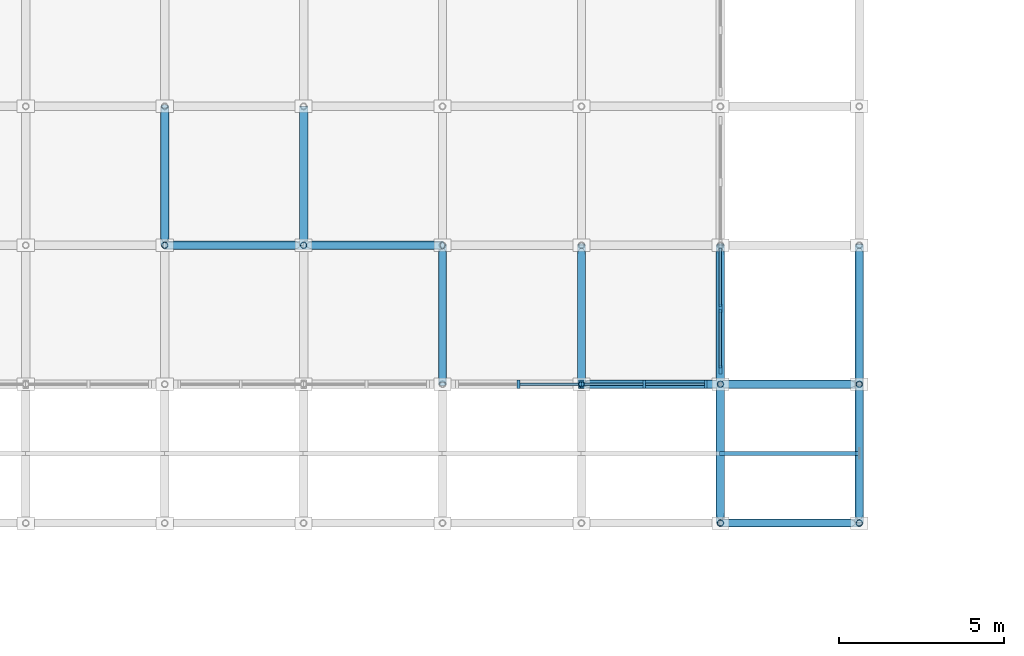
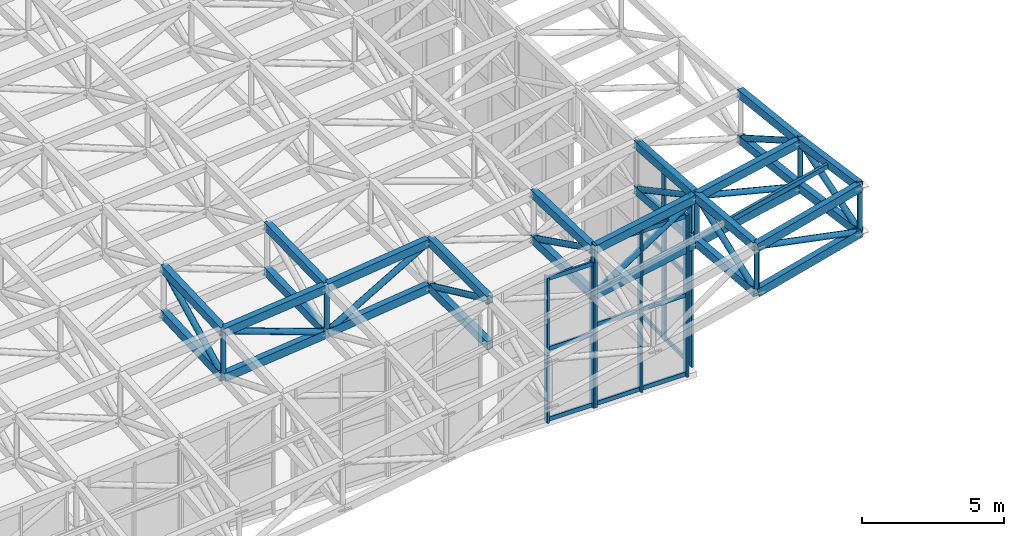
# One storey, part 47 of 111: 68 members, 3 elements without a shape of their own.
"""IFC4 building model written with IfcOpenShell, lengths in metres."""

from ifc_helpers import new_model, si_unit, direction, frame, origin, origin_2d, place, context, subcontext, project, spatial, rectangle, hollow_rectangle, hollow_circle, extrude, material, material_profile, profile_set, type_object, element, aggregate, save


model = new_model("IFC4")

# Units and contexts
model_context = context("Model", 3, precision=1e-05, world=origin(), true_north=direction((0.0, 1.0)))
body_context = subcontext(model_context, "Body", "Model", "MODEL_VIEW")
ifc_project = project(units=[si_unit("LENGTHUNIT", "METRE"), si_unit("AREAUNIT", "SQUARE_METRE"), si_unit("VOLUMEUNIT", "CUBIC_METRE"), si_unit("PLANEANGLEUNIT", "RADIAN"), si_unit("MASSUNIT", "GRAM", prefix="KILO")], contexts=[model_context])

# Site, building, storey
site_placement = place(None, origin())
site = spatial("IfcSite", under=ifc_project, at=site_placement, CompositionType="ELEMENT")
building_placement = place(site_placement, origin())
building = spatial("IfcBuilding", under=site, at=building_placement, Name="Cumbredor Promenade Congress Hotel", CompositionType="ELEMENT")
storey_placement = place(building_placement, frame((0.0, 0.0, 15.1201171875)))
storey = spatial("IfcBuildingStorey", under=building, at=storey_placement, Name="L04", CompositionType="ELEMENT", Elevation=15.1201171875)

# Curtain wall, members
ifc_material_1 = material(Name="Thermally broken anodized aluminium and low-E glass", Category="aluminium")
curtain_wall_type = type_object("IfcCurtainWallType", Name="Stepped Pavilion Clerestory Curtain Wall CW-06", PredefinedType="NOTDEFINED", material=ifc_material_1)
curtain_wall_1_placement = place(storey_placement, origin())
curtain_wall_1 = element("IfcCurtainWall", 1, at=curtain_wall_1_placement, inside=storey, type_object=curtain_wall_type, Name="Pre-Function and Breakout Meeting Forum S Glazed Clerestory 19", PredefinedType="NOTDEFINED")
ifc_material_2 = material(Name="Thermally broken anodized aluminium", Category="aluminium")
ifc_material_profile_1 = material_profile(ifc_material_2, rectangle(XDim=0.0849609375, YDim=0.260009765625, at=origin_2d()), Name="ALU MULLION CLERESTORY 85x260")
ifc_profile_set_1 = profile_set([ifc_material_profile_1], Name="Thermally broken anodized aluminium")
member_type_1 = type_object("IfcMemberType", Name="Curtain Wall Mullion ML-04", PredefinedType="MULLION", material=ifc_profile_set_1)
member_1_placement = place(storey_placement, frame((170.300048828125, 84.0, -0.01806640625), z_axis=(0.0, 0.0, 1.0), x_axis=(1.0, 0.0, 0.0)))
member_1 = element("IfcMember", 2, at=member_1_placement, type_object=member_type_1, Name="Pre-Function and Breakout Meeting Forum S Glazed Clerestory 19 Mullion 2", PredefinedType="MULLION", context=body_context, shape_type="SweptSolid", body=[
    extrude(rectangle(XDim=0.0849609375, YDim=0.260009765625, at=origin_2d()), origin(), (0.0, 0.0, 1.0), 6.243896484375),
])
member_2_placement = place(storey_placement, frame((172.159912109375, 84.0, -0.01806640625), z_axis=(0.0, 0.0, 1.0), x_axis=(1.0, 0.0, 0.0)))
member_2 = element("IfcMember", 3, at=member_2_placement, type_object=member_type_1, Name="Pre-Function and Breakout Meeting Forum S Glazed Clerestory 19 Mullion 3", PredefinedType="MULLION", context=body_context, shape_type="SweptSolid", body=[
    extrude(rectangle(XDim=0.0849609375, YDim=0.260009765625, at=origin_2d()), origin(), (0.0, 0.0, 1.0), 6.243896484375),
])

curtain_wall_2_placement = place(storey_placement, origin())
curtain_wall_2 = element("IfcCurtainWall", 4, at=curtain_wall_2_placement, inside=storey, type_object=curtain_wall_type, Name="Pre-Function and Breakout Meeting Forum S Glazed Clerestory 20", PredefinedType="NOTDEFINED")
member_3_placement = place(storey_placement, frame((172.239990234375, 84.0, -0.01806640625), z_axis=(0.0, 0.0, 1.0), x_axis=(1.0, 0.0, 0.0)))
member_3 = element("IfcMember", 5, at=member_3_placement, type_object=member_type_1, Name="Pre-Function and Breakout Meeting Forum S Glazed Clerestory 20 Mullion 1", PredefinedType="MULLION", context=body_context, shape_type="SweptSolid", body=[
    extrude(rectangle(XDim=0.0849609375, YDim=0.260009765625, at=origin_2d()), origin(), (0.0, 0.0, 1.0), 6.959228515625),
])
member_4_placement = place(storey_placement, frame((174.10009765625, 84.0, -0.01806640625), z_axis=(0.0, 0.0, 1.0), x_axis=(1.0, 0.0, 0.0)))
member_4 = element("IfcMember", 6, at=member_4_placement, type_object=member_type_1, Name="Pre-Function and Breakout Meeting Forum S Glazed Clerestory 20 Mullion 2", PredefinedType="MULLION", context=body_context, shape_type="SweptSolid", body=[
    extrude(rectangle(XDim=0.0849609375, YDim=0.260009765625, at=origin_2d()), origin(), (0.0, 0.0, 1.0), 6.959228515625),
])
member_5_placement = place(storey_placement, frame((175.9599609375, 84.0, -0.01806640625), z_axis=(0.0, 0.0, 1.0), x_axis=(1.0, 0.0, 0.0)))
member_5 = element("IfcMember", 7, at=member_5_placement, type_object=member_type_1, Name="Pre-Function and Breakout Meeting Forum S Glazed Clerestory 20 Mullion 3", PredefinedType="MULLION", context=body_context, shape_type="SweptSolid", body=[
    extrude(rectangle(XDim=0.0849609375, YDim=0.260009765625, at=origin_2d()), origin(), (0.0, 0.0, 1.0), 6.959228515625),
])

curtain_wall_3_placement = place(storey_placement, origin())
curtain_wall_3 = element("IfcCurtainWall", 8, at=curtain_wall_3_placement, inside=storey, type_object=curtain_wall_type, Name="Pre-Function and Breakout Meeting Forum E Glazed Clerestory 1", PredefinedType="NOTDEFINED")
member_6_placement = place(storey_placement, frame((176.39990234375, 84.43994140625, -0.01806640625), z_axis=(0.0, 0.0, 1.0), x_axis=(1.0, 0.0, 0.0)))
member_6 = element("IfcMember", 9, at=member_6_placement, type_object=member_type_1, Name="Pre-Function and Breakout Meeting Forum E Glazed Clerestory 1 Mullion 1", PredefinedType="MULLION", context=body_context, shape_type="SweptSolid", body=[
    extrude(rectangle(XDim=0.0849609375, YDim=0.260009765625, at=origin_2d()), origin(), (0.0, 0.0, 1.0), 7.4609375),
])
member_7_placement = place(storey_placement, frame((176.39990234375, 86.300048828125, -0.01806640625), z_axis=(0.0, 0.0, 1.0), x_axis=(1.0, 0.0, 0.0)))
member_7 = element("IfcMember", 10, at=member_7_placement, type_object=member_type_1, Name="Pre-Function and Breakout Meeting Forum E Glazed Clerestory 1 Mullion 2", PredefinedType="MULLION", context=body_context, shape_type="SweptSolid", body=[
    extrude(rectangle(XDim=0.0849609375, YDim=0.260009765625, at=origin_2d()), origin(), (0.0, 0.0, 1.0), 7.4609375),
])

# Member
ifc_material_profile_2 = material_profile(ifc_material_2, rectangle(XDim=0.080078125, YDim=0.179931640625, at=origin_2d()), Name="ALU TRANSOM 80x180")
ifc_profile_set_2 = profile_set([ifc_material_profile_2], Name="Thermally broken anodized aluminium")
member_type_2 = type_object("IfcMemberType", Name="Curtain Wall Transom TR-03", PredefinedType="USERDEFINED", material=ifc_profile_set_2)
member_8_placement = place(storey_placement, frame((170.342529296875, 84.0, 0.079833984375), z_axis=(1.0, 0.0, 0.0), x_axis=(0.0, 1.0, 0.0)))
member_8 = element("IfcMember", 11, at=member_8_placement, type_object=member_type_2, Name="Pre-Function and Breakout Meeting Forum S Glazed Clerestory 19 Transom 2.1", ObjectType="TRANSOM", PredefinedType="USERDEFINED", context=body_context, shape_type="SweptSolid", body=[
    extrude(rectangle(XDim=0.080078125, YDim=0.179931640625, at=origin_2d()), origin(), (0.0, 0.0, 1.0), 1.77490234375),
])

member_9_placement = place(storey_placement, frame((170.342529296875, 84.0, 3.10986328125), z_axis=(1.0, 0.0, 0.0), x_axis=(0.0, 1.0, 0.0)))
member_9 = element("IfcMember", 12, at=member_9_placement, type_object=member_type_2, Name="Pre-Function and Breakout Meeting Forum S Glazed Clerestory 19 Transom 2.2", ObjectType="TRANSOM", PredefinedType="USERDEFINED", context=body_context, shape_type="SweptSolid", body=[
    extrude(rectangle(XDim=0.080078125, YDim=0.179931640625, at=origin_2d()), origin(), (0.0, 0.0, 1.0), 1.77490234375),
])

member_10_placement = place(storey_placement, frame((170.342529296875, 84.0, 6.1298828125), z_axis=(1.0, 0.0, 0.0), x_axis=(0.0, 1.0, 0.0)))
member_10 = element("IfcMember", 13, at=member_10_placement, type_object=member_type_2, Name="Pre-Function and Breakout Meeting Forum S Glazed Clerestory 19 Transom 2.3", ObjectType="TRANSOM", PredefinedType="USERDEFINED", context=body_context, shape_type="SweptSolid", body=[
    extrude(rectangle(XDim=0.080078125, YDim=0.179931640625, at=origin_2d()), origin(), (0.0, 0.0, 1.0), 1.77490234375),
])

aggregate(curtain_wall_1, [member_1, member_2, member_8, member_9, member_10])

member_11_placement = place(storey_placement, frame((172.282470703125, 84.0, 0.079833984375), z_axis=(1.0, 0.0, 0.0), x_axis=(0.0, 1.0, 0.0)))
member_11 = element("IfcMember", 14, at=member_11_placement, type_object=member_type_2, Name="Pre-Function and Breakout Meeting Forum S Glazed Clerestory 20 Transom 1.1", ObjectType="TRANSOM", PredefinedType="USERDEFINED", context=body_context, shape_type="SweptSolid", body=[
    extrude(rectangle(XDim=0.080078125, YDim=0.179931640625, at=origin_2d()), origin(), (0.0, 0.0, 1.0), 1.775146484375),
])

member_12_placement = place(storey_placement, frame((172.282470703125, 84.0, 3.4599609375), z_axis=(1.0, 0.0, 0.0), x_axis=(0.0, 1.0, 0.0)))
member_12 = element("IfcMember", 15, at=member_12_placement, type_object=member_type_2, Name="Pre-Function and Breakout Meeting Forum S Glazed Clerestory 20 Transom 1.2", ObjectType="TRANSOM", PredefinedType="USERDEFINED", context=body_context, shape_type="SweptSolid", body=[
    extrude(rectangle(XDim=0.080078125, YDim=0.179931640625, at=origin_2d()), origin(), (0.0, 0.0, 1.0), 1.775146484375),
])

member_13_placement = place(storey_placement, frame((172.282470703125, 84.0, 6.83984375), z_axis=(1.0, 0.0, 0.0), x_axis=(0.0, 1.0, 0.0)))
member_13 = element("IfcMember", 16, at=member_13_placement, type_object=member_type_2, Name="Pre-Function and Breakout Meeting Forum S Glazed Clerestory 20 Transom 1.3", ObjectType="TRANSOM", PredefinedType="USERDEFINED", context=body_context, shape_type="SweptSolid", body=[
    extrude(rectangle(XDim=0.080078125, YDim=0.179931640625, at=origin_2d()), origin(), (0.0, 0.0, 1.0), 1.775146484375),
])

member_14_placement = place(storey_placement, frame((174.142578125, 84.0, 0.079833984375), z_axis=(1.0, 0.0, 0.0), x_axis=(0.0, 1.0, 0.0)))
member_14 = element("IfcMember", 17, at=member_14_placement, type_object=member_type_2, Name="Pre-Function and Breakout Meeting Forum S Glazed Clerestory 20 Transom 2.1", ObjectType="TRANSOM", PredefinedType="USERDEFINED", context=body_context, shape_type="SweptSolid", body=[
    extrude(rectangle(XDim=0.080078125, YDim=0.179931640625, at=origin_2d()), origin(), (0.0, 0.0, 1.0), 1.77490234375),
])

member_15_placement = place(storey_placement, frame((174.142578125, 84.0, 3.4599609375), z_axis=(1.0, 0.0, 0.0), x_axis=(0.0, 1.0, 0.0)))
member_15 = element("IfcMember", 18, at=member_15_placement, type_object=member_type_2, Name="Pre-Function and Breakout Meeting Forum S Glazed Clerestory 20 Transom 2.2", ObjectType="TRANSOM", PredefinedType="USERDEFINED", context=body_context, shape_type="SweptSolid", body=[
    extrude(rectangle(XDim=0.080078125, YDim=0.179931640625, at=origin_2d()), origin(), (0.0, 0.0, 1.0), 1.77490234375),
])

member_16_placement = place(storey_placement, frame((174.142578125, 84.0, 6.83984375), z_axis=(1.0, 0.0, 0.0), x_axis=(0.0, 1.0, 0.0)))
member_16 = element("IfcMember", 19, at=member_16_placement, type_object=member_type_2, Name="Pre-Function and Breakout Meeting Forum S Glazed Clerestory 20 Transom 2.3", ObjectType="TRANSOM", PredefinedType="USERDEFINED", context=body_context, shape_type="SweptSolid", body=[
    extrude(rectangle(XDim=0.080078125, YDim=0.179931640625, at=origin_2d()), origin(), (0.0, 0.0, 1.0), 1.77490234375),
])

aggregate(curtain_wall_2, [member_3, member_4, member_5, member_11, member_12, member_13, member_14, member_15, member_16])

member_17_placement = place(storey_placement, frame((176.39990234375, 84.482421875, 0.079833984375), z_axis=(0.0, 1.0, 0.0), x_axis=(-1.0, 0.0, 0.0)))
member_17 = element("IfcMember", 20, at=member_17_placement, type_object=member_type_2, Name="Pre-Function and Breakout Meeting Forum E Glazed Clerestory 1 Transom 1.1", ObjectType="TRANSOM", PredefinedType="USERDEFINED", context=body_context, shape_type="SweptSolid", body=[
    extrude(rectangle(XDim=0.080078125, YDim=0.179931640625, at=origin_2d()), origin(), (0.0, 0.0, 1.0), 1.775146484375),
])

member_18_placement = place(storey_placement, frame((176.39990234375, 84.482421875, 3.7099609375), z_axis=(0.0, 1.0, 0.0), x_axis=(-1.0, 0.0, 0.0)))
member_18 = element("IfcMember", 21, at=member_18_placement, type_object=member_type_2, Name="Pre-Function and Breakout Meeting Forum E Glazed Clerestory 1 Transom 1.2", ObjectType="TRANSOM", PredefinedType="USERDEFINED", context=body_context, shape_type="SweptSolid", body=[
    extrude(rectangle(XDim=0.080078125, YDim=0.179931640625, at=origin_2d()), origin(), (0.0, 0.0, 1.0), 1.775146484375),
])

member_19_placement = place(storey_placement, frame((176.39990234375, 84.482421875, 7.33984375), z_axis=(0.0, 1.0, 0.0), x_axis=(-1.0, 0.0, 0.0)))
member_19 = element("IfcMember", 22, at=member_19_placement, type_object=member_type_2, Name="Pre-Function and Breakout Meeting Forum E Glazed Clerestory 1 Transom 1.3", ObjectType="TRANSOM", PredefinedType="USERDEFINED", context=body_context, shape_type="SweptSolid", body=[
    extrude(rectangle(XDim=0.080078125, YDim=0.179931640625, at=origin_2d()), origin(), (0.0, 0.0, 1.0), 1.775146484375),
])

member_20_placement = place(storey_placement, frame((176.39990234375, 86.342529296875, 0.079833984375), z_axis=(0.0, 1.0, 0.0), x_axis=(-1.0, 0.0, 0.0)))
member_20 = element("IfcMember", 23, at=member_20_placement, type_object=member_type_2, Name="Pre-Function and Breakout Meeting Forum E Glazed Clerestory 1 Transom 2.1", ObjectType="TRANSOM", PredefinedType="USERDEFINED", context=body_context, shape_type="SweptSolid", body=[
    extrude(rectangle(XDim=0.080078125, YDim=0.179931640625, at=origin_2d()), origin(), (0.0, 0.0, 1.0), 1.77490234375),
])

member_21_placement = place(storey_placement, frame((176.39990234375, 86.342529296875, 3.7099609375), z_axis=(0.0, 1.0, 0.0), x_axis=(-1.0, 0.0, 0.0)))
member_21 = element("IfcMember", 24, at=member_21_placement, type_object=member_type_2, Name="Pre-Function and Breakout Meeting Forum E Glazed Clerestory 1 Transom 2.2", ObjectType="TRANSOM", PredefinedType="USERDEFINED", context=body_context, shape_type="SweptSolid", body=[
    extrude(rectangle(XDim=0.080078125, YDim=0.179931640625, at=origin_2d()), origin(), (0.0, 0.0, 1.0), 1.77490234375),
])

member_22_placement = place(storey_placement, frame((176.39990234375, 86.342529296875, 7.33984375), z_axis=(0.0, 1.0, 0.0), x_axis=(-1.0, 0.0, 0.0)))
member_22 = element("IfcMember", 25, at=member_22_placement, type_object=member_type_2, Name="Pre-Function and Breakout Meeting Forum E Glazed Clerestory 1 Transom 2.3", ObjectType="TRANSOM", PredefinedType="USERDEFINED", context=body_context, shape_type="SweptSolid", body=[
    extrude(rectangle(XDim=0.080078125, YDim=0.179931640625, at=origin_2d()), origin(), (0.0, 0.0, 1.0), 1.77490234375),
])

aggregate(curtain_wall_3, [member_6, member_7, member_17, member_18, member_19, member_20, member_21, member_22])

# Members
ifc_material_3 = material(Name="Steel ASTM A500 Grade C", Category="steel")
ifc_material_profile_3 = material_profile(ifc_material_3, hollow_rectangle(XDim=0.25, YDim=0.35009765625, WallThickness=0.01611328125, at=origin_2d()), Name="HSS 350x250x16")
ifc_profile_set_3 = profile_set([ifc_material_profile_3], Name="Steel ASTM A500 Grade C")
member_type_3 = type_object("IfcMemberType", Name="Forum Roof Truss Chord", PredefinedType="CHORD", material=ifc_profile_set_3)
for number, where, z_axis, x_axis, name in (
    (26, (176.39990234375, 79.800048828125, 7.926513671875), (0.966760808436, 0.0, 0.255682497), (0.0, 1.0, 0.0), "Pre-Function and Breakout Meeting Forum X Top Chord 22.1"),
    (27, (176.39990234375, 79.800048828125, 5.9765625), (0.966760808436, 0.0, 0.255682497), (0.0, 1.0, 0.0), "Pre-Function and Breakout Meeting Forum X Bottom Chord 22.1"),
):
    element("IfcMember", number, at=place(storey_placement, frame(where, z_axis=z_axis, x_axis=x_axis)), inside=storey, type_object=member_type_3, Name=name, PredefinedType="CHORD", context=body_context, shape_type="SweptSolid", body=[
        extrude(hollow_rectangle(XDim=0.25, YDim=0.35009765625, WallThickness=0.01611328125, at=origin_2d()), origin(), (0.0, 0.0, 1.0), 4.3447265625),
    ])
for number, where, z_axis, x_axis, name in (
    (28, (172.199951171875, 84.0, 6.740234375), (0.982367544191, 0.0, 0.186959910462), (0.0, 1.0, 0.0), "Pre-Function and Breakout Meeting Forum X Top Chord 21.2"),
    (29, (172.199951171875, 84.0, 4.790283203125), (0.982367544191, 0.0, 0.186959910462), (0.0, 1.0, 0.0), "Pre-Function and Breakout Meeting Forum X Bottom Chord 21.2"),
):
    element("IfcMember", number, at=place(storey_placement, frame(where, z_axis=z_axis, x_axis=x_axis)), inside=storey, type_object=member_type_3, Name=name, PredefinedType="CHORD", context=body_context, shape_type="SweptSolid", body=[
        extrude(hollow_rectangle(XDim=0.25, YDim=0.35009765625, WallThickness=0.01611328125, at=origin_2d()), origin(), (0.0, 0.0, 1.0), 4.275390625),
    ])
for number, where, z_axis, x_axis, name in (
    (30, (176.39990234375, 84.0, 7.53955078125), (0.978410779297, 0.0, 0.20666965659), (0.0, 1.0, 0.0), "Pre-Function and Breakout Meeting Forum X Top Chord 22.2"),
    (31, (176.39990234375, 84.0, 5.589599609375), (0.978410779297, 0.0, 0.20666965659), (0.0, 1.0, 0.0), "Pre-Function and Breakout Meeting Forum X Bottom Chord 22.2"),
):
    element("IfcMember", number, at=place(storey_placement, frame(where, z_axis=z_axis, x_axis=x_axis)), inside=storey, type_object=member_type_3, Name=name, PredefinedType="CHORD", context=body_context, shape_type="SweptSolid", body=[
        extrude(hollow_rectangle(XDim=0.25, YDim=0.35009765625, WallThickness=0.01611328125, at=origin_2d()), origin(), (0.0, 0.0, 1.0), 4.29296875),
    ])
for number, where, z_axis, x_axis, name in (
    (32, (159.60009765625, 88.199951171875, 5.0791015625), (0.994564532664, 0.0, 0.104121997519), (0.0, 1.0, 0.0), "Pre-Function and Breakout Meeting Forum X Top Chord 18.3"),
    (33, (159.60009765625, 88.199951171875, 3.12890625), (0.994564532664, 0.0, 0.104121997519), (0.0, 1.0, 0.0), "Pre-Function and Breakout Meeting Forum X Bottom Chord 18.3"),
):
    element("IfcMember", number, at=place(storey_placement, frame(where, z_axis=z_axis, x_axis=x_axis)), inside=storey, type_object=member_type_3, Name=name, PredefinedType="CHORD", context=body_context, shape_type="SweptSolid", body=[
        extrude(hollow_rectangle(XDim=0.25, YDim=0.35009765625, WallThickness=0.01611328125, at=origin_2d()), origin(), (0.0, 0.0, 1.0), 4.222900390625),
    ])
for number, where, z_axis, x_axis, name in (
    (34, (163.800048828125, 88.199951171875, 5.518798828125), (0.992790285705, 0.0, 0.119864292473), (0.0, 1.0, 0.0), "Pre-Function and Breakout Meeting Forum X Top Chord 19.3"),
    (35, (163.800048828125, 88.199951171875, 3.568603515625), (0.992790285705, 0.0, 0.119864292473), (0.0, 1.0, 0.0), "Pre-Function and Breakout Meeting Forum X Bottom Chord 19.3"),
):
    element("IfcMember", number, at=place(storey_placement, frame(where, z_axis=z_axis, x_axis=x_axis)), inside=storey, type_object=member_type_3, Name=name, PredefinedType="CHORD", context=body_context, shape_type="SweptSolid", body=[
        extrude(hollow_rectangle(XDim=0.25, YDim=0.35009765625, WallThickness=0.01611328125, at=origin_2d()), origin(), (0.0, 0.0, 1.0), 4.23046875),
    ])
for number, where, z_axis, x_axis, name in (
    (36, (159.60009765625, 88.199951171875, 5.0791015625), (0.0, 0.999215091886, 0.039613131004), (-1.0, 0.0, 0.0), "Pre-Function and Breakout Meeting Forum Y Top Chord 18.3"),
    (37, (159.60009765625, 88.199951171875, 3.12890625), (0.0, 0.999212791134, 0.039671123429), (-1.0, 0.0, 0.0), "Pre-Function and Breakout Meeting Forum Y Bottom Chord 18.3"),
):
    element("IfcMember", number, at=place(storey_placement, frame(where, z_axis=z_axis, x_axis=x_axis)), inside=storey, type_object=member_type_3, Name=name, PredefinedType="CHORD", context=body_context, shape_type="SweptSolid", body=[
        extrude(hollow_rectangle(XDim=0.25, YDim=0.35009765625, WallThickness=0.01611328125, at=origin_2d()), origin(), (0.0, 0.0, 1.0), 4.203369140625),
    ])
for number, where, z_axis, x_axis, name in (
    (38, (163.800048828125, 88.199951171875, 5.518798828125), (0.0, 0.999773756353, 0.021270545534), (-1.0, 0.0, 0.0), "Pre-Function and Breakout Meeting Forum Y Top Chord 19.3"),
    (39, (163.800048828125, 88.199951171875, 3.568603515625), (0.0, 0.999772518783, 0.021328635377), (-1.0, 0.0, 0.0), "Pre-Function and Breakout Meeting Forum Y Bottom Chord 19.3"),
):
    element("IfcMember", number, at=place(storey_placement, frame(where, z_axis=z_axis, x_axis=x_axis)), inside=storey, type_object=member_type_3, Name=name, PredefinedType="CHORD", context=body_context, shape_type="SweptSolid", body=[
        extrude(hollow_rectangle(XDim=0.25, YDim=0.35009765625, WallThickness=0.01611328125, at=origin_2d()), origin(), (0.0, 0.0, 1.0), 4.200927734375),
    ])
for number, where, z_axis, x_axis, name in (
    (40, (168.0, 84.0, 6.02490234375), (0.0, 0.999999972968, 0.000232517578), (-1.0, 0.0, 0.0), "Pre-Function and Breakout Meeting Forum Y Top Chord 20.2"),
    (41, (168.0, 84.0, 4.07470703125), (0.0, 0.999999972968, 0.000232517578), (-1.0, 0.0, 0.0), "Pre-Function and Breakout Meeting Forum Y Bottom Chord 20.2"),
):
    element("IfcMember", number, at=place(storey_placement, frame(where, z_axis=z_axis, x_axis=x_axis)), inside=storey, type_object=member_type_3, Name=name, PredefinedType="CHORD", context=body_context, shape_type="SweptSolid", body=[
        extrude(hollow_rectangle(XDim=0.25, YDim=0.35009765625, WallThickness=0.01611328125, at=origin_2d()), origin(), (0.0, 0.0, 1.0), 4.199951171875),
    ])
for number, where, z_axis, x_axis, name in (
    (42, (172.199951171875, 84.0, 6.740234375), (0.0, 0.999443810267, -0.033347715346), (-1.0, 0.0, 0.0), "Pre-Function and Breakout Meeting Forum Y Top Chord 21.2"),
    (43, (172.199951171875, 84.0, 4.790283203125), (0.0, 0.999443810267, -0.033347715346), (-1.0, 0.0, 0.0), "Pre-Function and Breakout Meeting Forum Y Bottom Chord 21.2"),
):
    element("IfcMember", number, at=place(storey_placement, frame(where, z_axis=z_axis, x_axis=x_axis)), inside=storey, type_object=member_type_3, Name=name, PredefinedType="CHORD", context=body_context, shape_type="SweptSolid", body=[
        extrude(hollow_rectangle(XDim=0.25, YDim=0.35009765625, WallThickness=0.01611328125, at=origin_2d()), origin(), (0.0, 0.0, 1.0), 4.202392578125),
    ])
for number, where, z_axis, x_axis, name in (
    (44, (176.39990234375, 79.800048828125, 7.926513671875), (0.0, 0.995782395469, -0.091746503332), (-1.0, 0.0, 0.0), "Pre-Function and Breakout Meeting Forum Y Top Chord 22.1"),
    (45, (176.39990234375, 79.800048828125, 5.9765625), (0.0, 0.995782395469, -0.091746503332), (-1.0, 0.0, 0.0), "Pre-Function and Breakout Meeting Forum Y Bottom Chord 22.1"),
):
    element("IfcMember", number, at=place(storey_placement, frame(where, z_axis=z_axis, x_axis=x_axis)), inside=storey, type_object=member_type_3, Name=name, PredefinedType="CHORD", context=body_context, shape_type="SweptSolid", body=[
        extrude(hollow_rectangle(XDim=0.25, YDim=0.35009765625, WallThickness=0.01611328125, at=origin_2d()), origin(), (0.0, 0.0, 1.0), 4.2177734375),
    ])
for number, where, z_axis, x_axis, name in (
    (46, (176.39990234375, 84.0, 7.53955078125), (0.0, 0.997498863978, -0.070682503935), (-1.0, 0.0, 0.0), "Pre-Function and Breakout Meeting Forum Y Top Chord 22.2"),
    (47, (176.39990234375, 84.0, 5.589599609375), (0.0, 0.997498863978, -0.070682503935), (-1.0, 0.0, 0.0), "Pre-Function and Breakout Meeting Forum Y Bottom Chord 22.2"),
):
    element("IfcMember", number, at=place(storey_placement, frame(where, z_axis=z_axis, x_axis=x_axis)), inside=storey, type_object=member_type_3, Name=name, PredefinedType="CHORD", context=body_context, shape_type="SweptSolid", body=[
        extrude(hollow_rectangle(XDim=0.25, YDim=0.35009765625, WallThickness=0.01611328125, at=origin_2d()), origin(), (0.0, 0.0, 1.0), 4.21044921875),
    ])
for number, where, z_axis, x_axis, name in (
    (48, (180.60009765625, 79.800048828125, 9.037353515625), (0.0, 0.989596716338, -0.143869173258), (-1.0, 0.0, 0.0), "Pre-Function and Breakout Meeting Forum Y Top Chord 23.1"),
    (49, (180.60009765625, 79.800048828125, 7.08740234375), (0.0, 0.989596716338, -0.143869173258), (-1.0, 0.0, 0.0), "Pre-Function and Breakout Meeting Forum Y Bottom Chord 23.1"),
):
    element("IfcMember", number, at=place(storey_placement, frame(where, z_axis=z_axis, x_axis=x_axis)), inside=storey, type_object=member_type_3, Name=name, PredefinedType="CHORD", context=body_context, shape_type="SweptSolid", body=[
        extrude(hollow_rectangle(XDim=0.25, YDim=0.35009765625, WallThickness=0.01611328125, at=origin_2d()), origin(), (0.0, 0.0, 1.0), 4.244140625),
    ])
for number, where, z_axis, x_axis, name in (
    (50, (180.60009765625, 84.0, 8.4267578125), (0.0, 0.993720642915, -0.111889605611), (-1.0, 0.0, 0.0), "Pre-Function and Breakout Meeting Forum Y Top Chord 23.2"),
    (51, (180.60009765625, 84.0, 6.476806640625), (0.0, 0.993714218671, -0.11194664627), (-1.0, 0.0, 0.0), "Pre-Function and Breakout Meeting Forum Y Bottom Chord 23.2"),
):
    element("IfcMember", number, at=place(storey_placement, frame(where, z_axis=z_axis, x_axis=x_axis)), inside=storey, type_object=member_type_3, Name=name, PredefinedType="CHORD", context=body_context, shape_type="SweptSolid", body=[
        extrude(hollow_rectangle(XDim=0.25, YDim=0.35009765625, WallThickness=0.01611328125, at=origin_2d()), origin(), (0.0, 0.0, 1.0), 4.2265625),
    ])
ifc_material_profile_4 = material_profile(ifc_material_3, hollow_rectangle(XDim=0.1201171875, YDim=0.199951171875, WallThickness=0.010009765625, at=origin_2d()), Name="HSS 200x120x10")
ifc_profile_set_4 = profile_set([ifc_material_profile_4], Name="Steel ASTM A500 Grade C")
member_type_4 = type_object("IfcMemberType", Name="Roof Purlin HSS200x120", PredefinedType="PURLIN", material=ifc_profile_set_4)
member_23_placement = place(storey_placement, frame((176.39990234375, 81.89990234375, 7.712890625), z_axis=(0.972846850955, 0.0, 0.231449788477), x_axis=(0.0, 1.0, 0.0)))
element("IfcMember", 52, at=member_23_placement, inside=storey, type_object=member_type_4, Name="Pre-Function and Breakout Meeting Forum Roof Eave Purlin 22.1", PredefinedType="PURLIN", context=body_context, shape_type="SweptSolid", body=[
    extrude(hollow_rectangle(XDim=0.1201171875, YDim=0.199951171875, WallThickness=0.010009765625, at=origin_2d()), origin(), (0.0, 0.0, 1.0), 4.3173828125),
])
ifc_material_profile_5 = material_profile(ifc_material_3, hollow_circle(Radius=0.122314453125, WallThickness=0.012451171875, at=origin_2d()), Name="CHS 244.5x12.5")
ifc_profile_set_5 = profile_set([ifc_material_profile_5], Name="Steel ASTM A500 Grade C")
member_type_5 = type_object("IfcMemberType", Name="Space Frame Web Diagonal D2", PredefinedType="BRACE", material=ifc_profile_set_5)
member_24_placement = place(storey_placement, frame((176.39990234375, 79.800048828125, 7.926513671875), z_axis=(0.980622307178, 0.0, -0.195907862693), x_axis=(0.0, 1.0, 0.0)))
element("IfcMember", 53, at=member_24_placement, inside=storey, type_object=member_type_5, Name="Pre-Function and Breakout Meeting Forum X Web Diagonal 22.1", PredefinedType="BRACE", context=body_context, shape_type="SweptSolid", body=[
    extrude(hollow_circle(Radius=0.122314453125, WallThickness=0.012451171875, at=origin_2d()), origin(), (0.0, 0.0, 1.0), 4.283203125),
])
member_25_placement = place(storey_placement, frame((172.199951171875, 84.0, 4.790283203125), z_axis=(0.836682471757, 0.0, 0.547688270328), x_axis=(0.0, 1.0, 0.0)))
element("IfcMember", 54, at=member_25_placement, inside=storey, type_object=member_type_5, Name="Pre-Function and Breakout Meeting Forum X Web Diagonal 21.2", PredefinedType="BRACE", context=body_context, shape_type="SweptSolid", body=[
    extrude(hollow_circle(Radius=0.122314453125, WallThickness=0.012451171875, at=origin_2d()), origin(), (0.0, 0.0, 1.0), 5.019775390625),
])
member_26_placement = place(storey_placement, frame((176.39990234375, 84.0, 7.53955078125), z_axis=(0.969449118774, 0.0, -0.245292490934), x_axis=(0.0, 1.0, 0.0)))
element("IfcMember", 55, at=member_26_placement, inside=storey, type_object=member_type_5, Name="Pre-Function and Breakout Meeting Forum X Web Diagonal 22.2", PredefinedType="BRACE", context=body_context, shape_type="SweptSolid", body=[
    extrude(hollow_circle(Radius=0.122314453125, WallThickness=0.012451171875, at=origin_2d()), origin(), (0.0, 0.0, 1.0), 4.33251953125),
])
member_27_placement = place(storey_placement, frame((159.60009765625, 88.199951171875, 5.0791015625), z_axis=(0.94099335553, 0.0, -0.338425035788), x_axis=(0.0, 1.0, 0.0)))
element("IfcMember", 56, at=member_27_placement, inside=storey, type_object=member_type_5, Name="Pre-Function and Breakout Meeting Forum X Web Diagonal 18.3", PredefinedType="BRACE", context=body_context, shape_type="SweptSolid", body=[
    extrude(hollow_circle(Radius=0.122314453125, WallThickness=0.012451171875, at=origin_2d()), origin(), (0.0, 0.0, 1.0), 4.46337890625),
])
member_28_placement = place(storey_placement, frame((163.800048828125, 88.199951171875, 3.568603515625), z_axis=(0.863124886965, 0.0, 0.50499052417), x_axis=(0.0, 1.0, 0.0)))
element("IfcMember", 57, at=member_28_placement, inside=storey, type_object=member_type_5, Name="Pre-Function and Breakout Meeting Forum X Web Diagonal 19.3", PredefinedType="BRACE", context=body_context, shape_type="SweptSolid", body=[
    extrude(hollow_circle(Radius=0.122314453125, WallThickness=0.012451171875, at=origin_2d()), origin(), (0.0, 0.0, 1.0), 4.865966796875),
])
member_29_placement = place(storey_placement, frame((159.60009765625, 88.199951171875, 3.12890625), z_axis=(0.0, 0.893000345184, 0.450055978187), x_axis=(-1.0, 0.0, 0.0)))
element("IfcMember", 58, at=member_29_placement, inside=storey, type_object=member_type_5, Name="Pre-Function and Breakout Meeting Forum Y Web Diagonal 18.3", PredefinedType="BRACE", context=body_context, shape_type="SweptSolid", body=[
    extrude(hollow_circle(Radius=0.122314453125, WallThickness=0.012451171875, at=origin_2d()), origin(), (0.0, 0.0, 1.0), 4.703125),
])
member_30_placement = place(storey_placement, frame((168.0, 84.0, 6.02490234375), z_axis=(0.0, 0.907071533627, -0.42097652296), x_axis=(-1.0, 0.0, 0.0)))
element("IfcMember", 59, at=member_30_placement, inside=storey, type_object=member_type_5, Name="Pre-Function and Breakout Meeting Forum Y Web Diagonal 20.2", PredefinedType="BRACE", context=body_context, shape_type="SweptSolid", body=[
    extrude(hollow_circle(Radius=0.122314453125, WallThickness=0.012451171875, at=origin_2d()), origin(), (0.0, 0.0, 1.0), 4.630126953125),
])
member_31_placement = place(storey_placement, frame((172.199951171875, 84.0, 6.740234375), z_axis=(0.0, 0.895268672792, -0.445526658593), x_axis=(-1.0, 0.0, 0.0)))
element("IfcMember", 60, at=member_31_placement, inside=storey, type_object=member_type_5, Name="Pre-Function and Breakout Meeting Forum Y Web Diagonal 21.2", PredefinedType="BRACE", context=body_context, shape_type="SweptSolid", body=[
    extrude(hollow_circle(Radius=0.122314453125, WallThickness=0.012451171875, at=origin_2d()), origin(), (0.0, 0.0, 1.0), 4.691162109375),
])
member_32_placement = place(storey_placement, frame((176.39990234375, 79.800048828125, 5.9765625), z_axis=(0.0, 0.937206114536, 0.348776001003), x_axis=(-1.0, 0.0, 0.0)))
element("IfcMember", 61, at=member_32_placement, inside=storey, type_object=member_type_5, Name="Pre-Function and Breakout Meeting Forum Y Web Diagonal 22.1", PredefinedType="BRACE", context=body_context, shape_type="SweptSolid", body=[
    extrude(hollow_circle(Radius=0.122314453125, WallThickness=0.012451171875, at=origin_2d()), origin(), (0.0, 0.0, 1.0), 4.4814453125),
])
member_33_placement = place(storey_placement, frame((176.39990234375, 84.0, 7.53955078125), z_axis=(0.0, 0.881690935242, -0.471827399281), x_axis=(-1.0, 0.0, 0.0)))
element("IfcMember", 62, at=member_33_placement, inside=storey, type_object=member_type_5, Name="Pre-Function and Breakout Meeting Forum Y Web Diagonal 22.2", PredefinedType="BRACE", context=body_context, shape_type="SweptSolid", body=[
    extrude(hollow_circle(Radius=0.122314453125, WallThickness=0.012451171875, at=origin_2d()), origin(), (0.0, 0.0, 1.0), 4.763427734375),
])
member_34_placement = place(storey_placement, frame((180.60009765625, 79.800048828125, 7.08740234375), z_axis=(0.0, 0.95272847028, 0.30382307667), x_axis=(-1.0, 0.0, 0.0)))
element("IfcMember", 63, at=member_34_placement, inside=storey, type_object=member_type_5, Name="Pre-Function and Breakout Meeting Forum Y Web Diagonal 23.1", PredefinedType="BRACE", context=body_context, shape_type="SweptSolid", body=[
    extrude(hollow_circle(Radius=0.122314453125, WallThickness=0.012451171875, at=origin_2d()), origin(), (0.0, 0.0, 1.0), 4.408447265625),
])
member_35_placement = place(storey_placement, frame((180.60009765625, 84.0, 8.4267578125), z_axis=(0.0, 0.866181394792, -0.499729718265), x_axis=(-1.0, 0.0, 0.0)))
element("IfcMember", 64, at=member_35_placement, inside=storey, type_object=member_type_5, Name="Pre-Function and Breakout Meeting Forum Y Web Diagonal 23.2", PredefinedType="BRACE", context=body_context, shape_type="SweptSolid", body=[
    extrude(hollow_circle(Radius=0.122314453125, WallThickness=0.012451171875, at=origin_2d()), origin(), (0.0, 0.0, 1.0), 4.848876953125),
])
ifc_material_profile_6 = material_profile(ifc_material_3, hollow_circle(Radius=0.096923828125, WallThickness=0.010009765625, at=origin_2d()), Name="CHS 193.7x10")
ifc_profile_set_6 = profile_set([ifc_material_profile_6], Name="Steel ASTM A500 Grade C")
member_type_6 = type_object("IfcMemberType", Name="Space Frame Web Post P1", PredefinedType="BRACE", material=ifc_profile_set_6)
for number, where, z_axis, x_axis, name in (
    (65, (159.60009765625, 88.199951171875, 3.12890625), (0.0, 0.0, 1.0), (1.0, 0.0, 0.0), "Pre-Function and Breakout Meeting Forum Space Frame Web Post 18.3"),
    (66, (163.800048828125, 88.199951171875, 3.568603515625), (0.0, 0.0, 1.0), (1.0, 0.0, 0.0), "Pre-Function and Breakout Meeting Forum Space Frame Web Post 19.3"),
):
    element("IfcMember", number, at=place(storey_placement, frame(where, z_axis=z_axis, x_axis=x_axis)), inside=storey, type_object=member_type_6, Name=name, PredefinedType="BRACE", context=body_context, shape_type="SweptSolid", body=[
        extrude(hollow_circle(Radius=0.096923828125, WallThickness=0.010009765625, at=origin_2d()), origin(), (0.0, 0.0, 1.0), 1.9501953125),
    ])
for number, where, z_axis, x_axis, name in (
    (67, (172.199951171875, 84.0, 4.790283203125), (0.0, 0.0, 1.0), (1.0, 0.0, 0.0), "Pre-Function and Breakout Meeting Forum Space Frame Web Post 21.2"),
    (68, (176.39990234375, 79.800048828125, 5.9765625), (0.0, 0.0, 1.0), (1.0, 0.0, 0.0), "Pre-Function and Breakout Meeting Forum Space Frame Web Post 22.1"),
    (69, (176.39990234375, 84.0, 5.589599609375), (0.0, 0.0, 1.0), (1.0, 0.0, 0.0), "Pre-Function and Breakout Meeting Forum Space Frame Web Post 22.2"),
    (70, (180.60009765625, 79.800048828125, 7.08740234375), (0.0, 0.0, 1.0), (1.0, 0.0, 0.0), "Pre-Function and Breakout Meeting Forum Space Frame Web Post 23.1"),
    (71, (180.60009765625, 84.0, 6.476806640625), (0.0, 0.0, 1.0), (1.0, 0.0, 0.0), "Pre-Function and Breakout Meeting Forum Space Frame Web Post 23.2"),
):
    element("IfcMember", number, at=place(storey_placement, frame(where, z_axis=z_axis, x_axis=x_axis)), inside=storey, type_object=member_type_6, Name=name, PredefinedType="BRACE", context=body_context, shape_type="SweptSolid", body=[
        extrude(hollow_circle(Radius=0.096923828125, WallThickness=0.010009765625, at=origin_2d()), origin(), (0.0, 0.0, 1.0), 1.949951171875),
    ])

save(model, "model.ifc")
